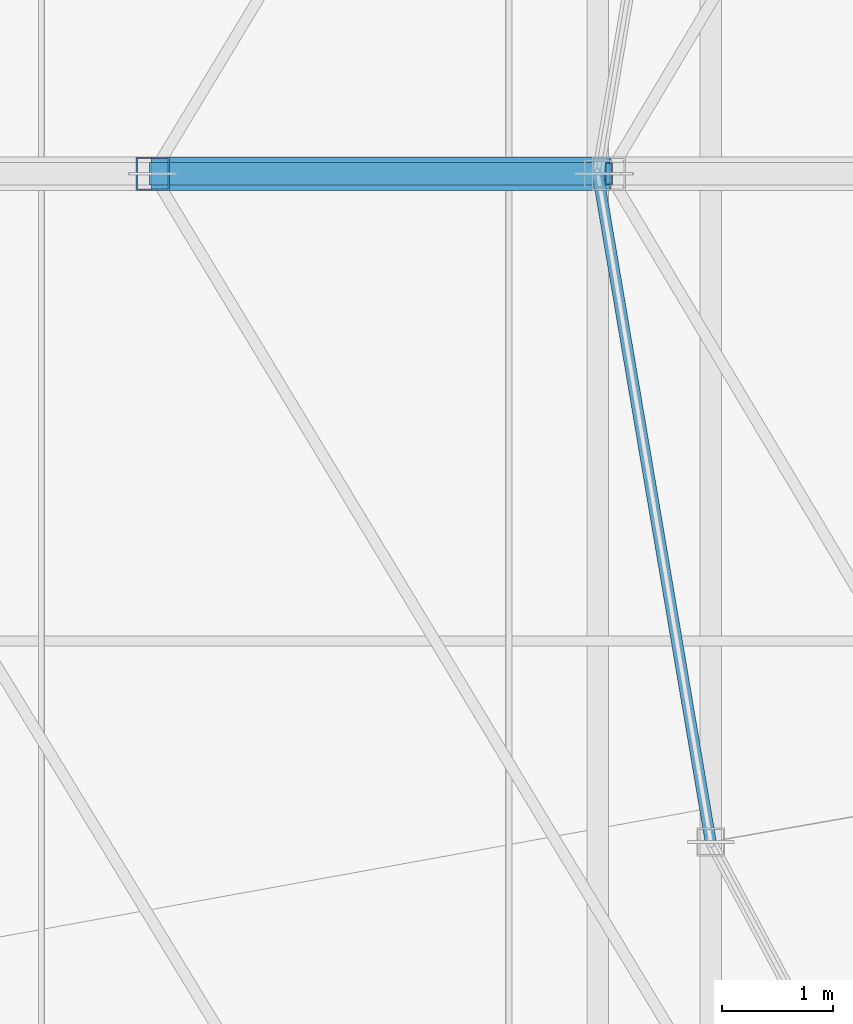
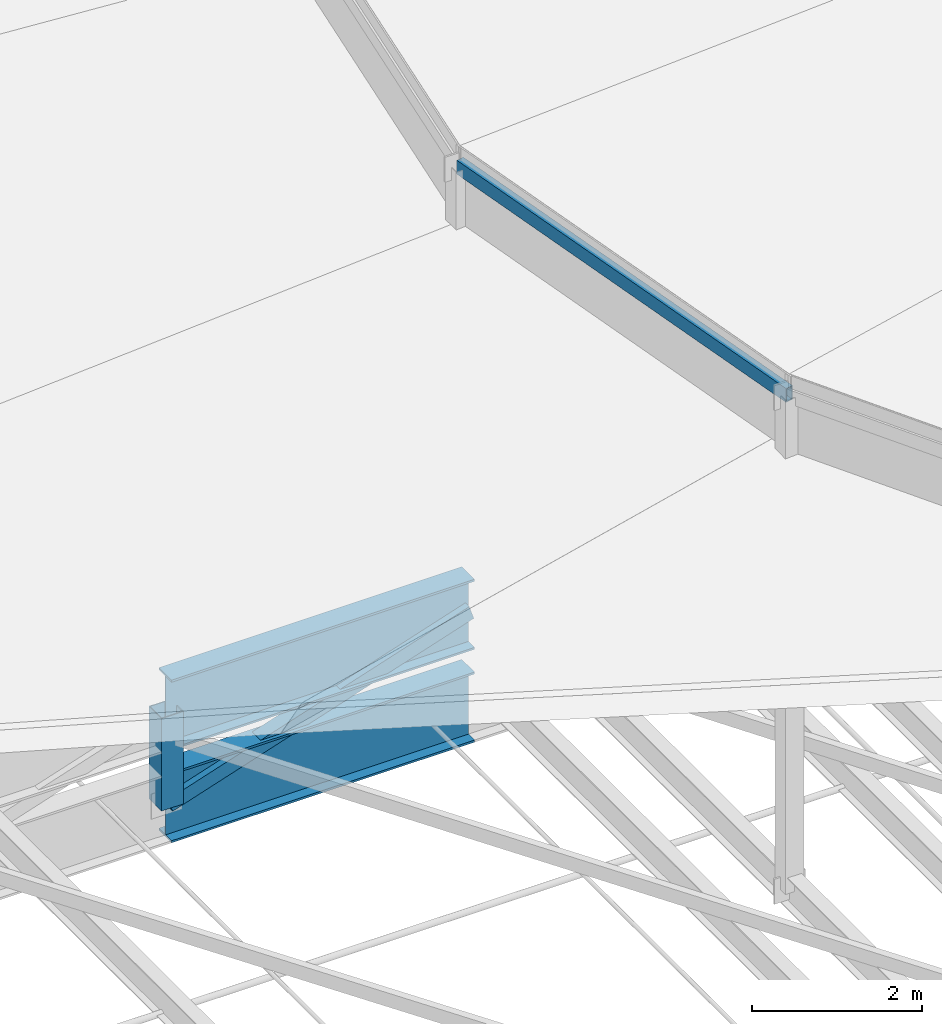
# One storey, part 25 of 184: 3 members, 2 beams.
"""IFC4 building model written with IfcOpenShell, lengths in metres."""

from ifc_helpers import new_model, si_unit, direction, frame, origin, origin_2d, place, context, subcontext, project, spatial, hollow_rectangle, i_section, extrude, material, material_profile, profile_set, type_object, element, save


model = new_model("IFC4")

# Units and contexts
model_context = context("Model", 3, precision=1e-05, world=origin(), true_north=direction((0.0, 1.0)))
body_context = subcontext(model_context, "Body", "Model", "MODEL_VIEW")
ifc_project = project(units=[si_unit("LENGTHUNIT", "METRE"), si_unit("AREAUNIT", "SQUARE_METRE"), si_unit("VOLUMEUNIT", "CUBIC_METRE"), si_unit("PLANEANGLEUNIT", "RADIAN"), si_unit("MASSUNIT", "GRAM", prefix="KILO")], contexts=[model_context])

# Site, building, storey
site_placement = place(None, origin())
site = spatial("IfcSite", under=ifc_project, at=site_placement, CompositionType="ELEMENT")
building_placement = place(site_placement, origin())
building = spatial("IfcBuilding", under=site, at=building_placement, Name="Kalgoora Escarpment Arena", CompositionType="ELEMENT")
storey_placement = place(building_placement, frame((0.0, 0.0, 27.60009765625)))
storey = spatial("IfcBuildingStorey", under=building, at=storey_placement, Name="Roof Level", CompositionType="ELEMENT", Elevation=27.60009765625)

# Beams
ifc_material_1 = material(Name="Structural steel Grade 350 (350 MPa)", Category="steel")
ifc_material_profile_1 = material_profile(ifc_material_1, i_section(OverallWidth=0.300048828125, OverallDepth=1.010009765625, WebThickness=0.01611328125, FlangeThickness=0.030029296875, at=origin_2d()))
ifc_profile_set_1 = profile_set([ifc_material_profile_1], Name="Structural steel Grade 350 (350 MPa)")
beam_type = type_object("IfcBeamType", Name="BM-TRUSS-CHORD", PredefinedType="USERDEFINED", material=ifc_profile_set_1)
for number, where, z_axis, x_axis, name in (
    (1, (72.387939453125, 64.0, -1.6201171875), (0.999999227238, 0.0, 0.001243191083), (0.0, 1.0, 0.0), "Radial ROOF TRUSS spine 5 bottom chord 8"),
    (2, (72.387939453125, 64.0, -0.2900390625), (0.999997054401, 0.0, 0.002427177317), (0.0, 1.0, 0.0), "Radial ROOF TRUSS spine 5 top chord 8"),
):
    element("IfcBeam", number, at=place(storey_placement, frame(where, z_axis=z_axis, x_axis=x_axis)), inside=storey, type_object=beam_type, Name=name, ObjectType="GIRDER", PredefinedType="USERDEFINED", context=body_context, shape_type="SweptSolid", body=[
        extrude(i_section(OverallWidth=0.300048828125, OverallDepth=1.010009765625, WebThickness=0.01611328125, FlangeThickness=0.030029296875, at=origin_2d()), origin(), (0.0, 0.0, 1.0), 4.1240234375),
    ])

# Members
ifc_material_2 = material(Name="Structural steel C350 (350 MPa)", Category="steel")
ifc_material_profile_2 = material_profile(ifc_material_2, hollow_rectangle(XDim=0.10009765625, YDim=0.199951171875, WallThickness=0.009033203125, at=origin_2d()))
ifc_profile_set_2 = profile_set([ifc_material_profile_2], Name="Structural steel C350 (350 MPa)")
member_type_1 = type_object("IfcMemberType", Name="MEM-PURLIN-RHS", PredefinedType="PURLIN", material=ifc_profile_set_2)
member_1_placement = place(storey_placement, frame((76.39990234375, 64.0, 6.125), z_axis=(0.166732388344, -0.986002185939, 0.0), x_axis=(0.986002185939, 0.166732388344, 0.0)))
element("IfcMember", 3, at=member_1_placement, inside=storey, type_object=member_type_1, Name="Petal RP4 eave support ring purlin S13", PredefinedType="PURLIN", context=body_context, shape_type="SweptSolid", body=[
    extrude(hollow_rectangle(XDim=0.10009765625, YDim=0.199951171875, WallThickness=0.009033203125, at=origin_2d()), origin(), (0.0, 0.0, 1.0), 6.08984375),
])
ifc_material_3 = material(Name="Structural steel C350 (350 MPa)", Category="steel")
ifc_material_profile_3 = material_profile(ifc_material_3, hollow_rectangle(XDim=0.199951171875, YDim=0.199951171875, WallThickness=0.009033203125, at=origin_2d()))
ifc_profile_set_3 = profile_set([ifc_material_profile_3], Name="Structural steel C350 (350 MPa)")
member_type_2 = type_object("IfcMemberType", Name="MEM-TRUSS-DIAG", PredefinedType="BRACE", material=ifc_profile_set_3)
member_2_placement = place(storey_placement, frame((72.39990234375, 64.0, -1.6201171875), z_axis=(0.950517825991, 0.0, 0.310670021845), x_axis=(0.0, 1.0, 0.0)))
element("IfcMember", 4, at=member_2_placement, inside=storey, type_object=member_type_2, Name="Radial ROOF TRUSS spine 5 web diagonal 8", PredefinedType="BRACE", context=body_context, shape_type="SweptSolid", body=[
    extrude(hollow_rectangle(XDim=0.199951171875, YDim=0.199951171875, WallThickness=0.009033203125, at=origin_2d()), origin(), (0.0, 0.0, 1.0), 4.3134765625),
])
ifc_material_4 = material(Name="Structural steel C450 (450 MPa)", Category="steel")
ifc_material_profile_4 = material_profile(ifc_material_4, hollow_rectangle(XDim=0.300048828125, YDim=0.300048828125, WallThickness=0.012451171875, at=origin_2d()))
ifc_profile_set_4 = profile_set([ifc_material_profile_4], Name="Structural steel C450 (450 MPa)")
member_type_3 = type_object("IfcMemberType", Name="MEM-TRUSS-POST", PredefinedType="POST", material=ifc_profile_set_4)
member_3_placement = place(storey_placement, frame((72.39990234375, 64.0, -1.6201171875), z_axis=(0.0, 0.0, 1.0), x_axis=(1.0, 0.0, 0.0)))
element("IfcMember", 5, at=member_3_placement, inside=storey, type_object=member_type_3, Name="Radial ROOF TRUSS spine 5 post 7", PredefinedType="POST", context=body_context, shape_type="SweptSolid", body=[
    extrude(hollow_rectangle(XDim=0.300048828125, YDim=0.300048828125, WallThickness=0.012451171875, at=origin_2d()), origin(), (0.0, 0.0, 1.0), 1.330078125),
])

save(model, "model.ifc")
